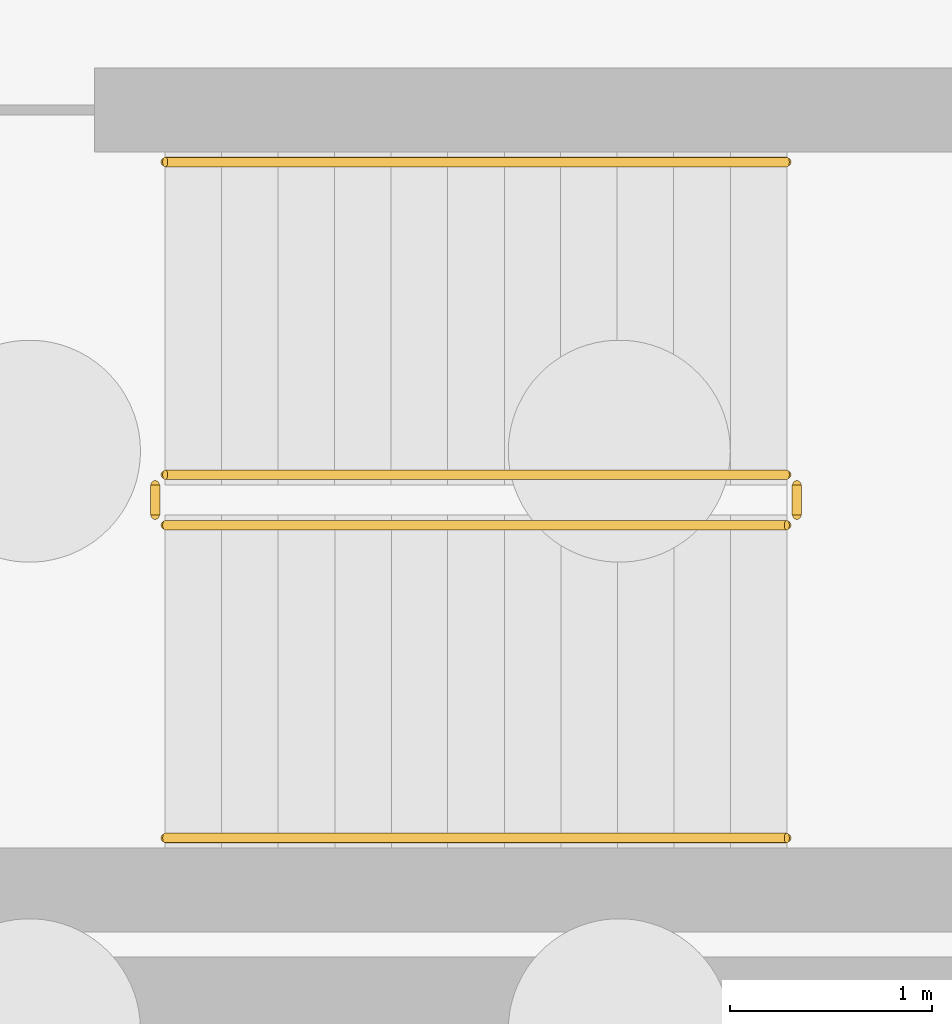
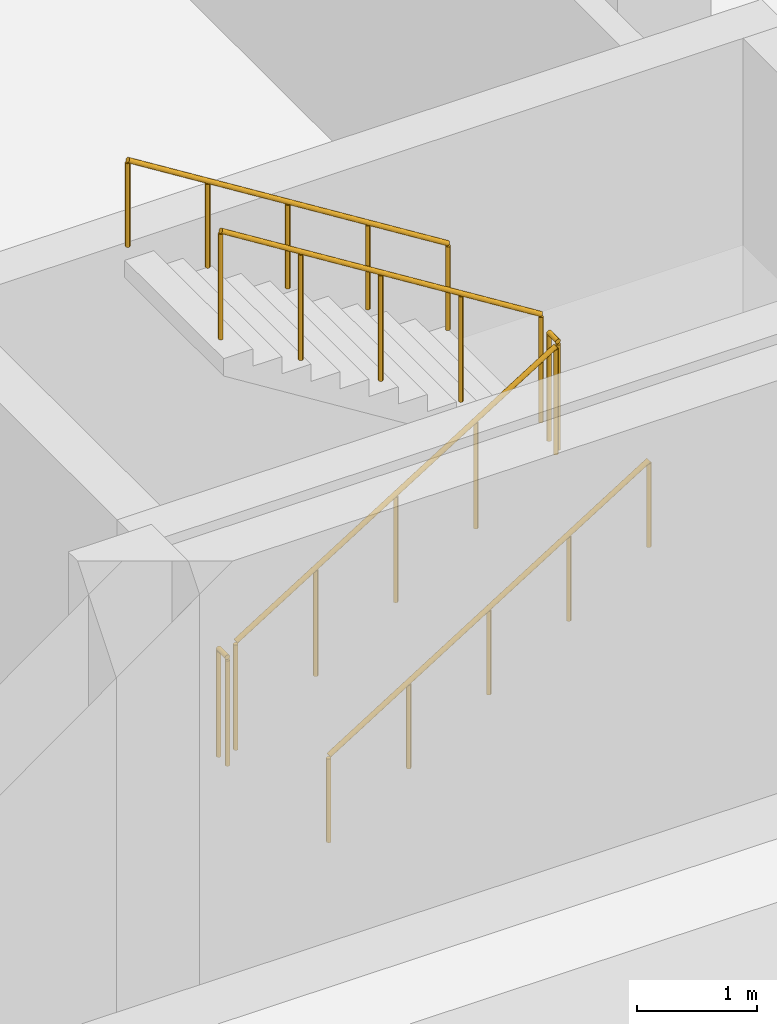
# One storey, part 27 of 31: 6 railings.
"""IFC4 building model written with IfcOpenShell, lengths in metres."""

import ifcopenshell
import ifcopenshell.guid

model = None  # the IFC model being written
_history = None  # IfcOwnerHistory: only IFC2X3 demands one
_inside = {}  # id of a spatial element -> (the spatial element, [elements in it])
_under = {}  # id of a project, library or spatial element -> (it, [spatial elements below it])
_declared = {}  # id of a project -> (the project, [libraries it declares])
_typed = {}  # id of a type object -> (the type object, [elements of that type])
_made_of = {}  # id of a material, layer set ... -> (it, [elements and type objects made of it])


def new_model(schema):
    """Start an empty IFC model of exactly this schema.

    Asked for "IFC4X3", IfcOpenShell would pick the latest addendum, in which some entities
    have other attributes; the version numbers below select the first issue.
    IFC2X3 requires an IfcOwnerHistory on every rooted entity: one is made here for all.
    """
    global model, _history
    if schema == "IFC4X3":
        model = ifcopenshell.file(schema_version=(4, 3, 0, 0))
    else:
        model = ifcopenshell.file(schema=schema)
    _inside.clear()
    _under.clear()
    _declared.clear()
    _typed.clear()
    _made_of.clear()
    _history = None
    if model.schema == "IFC2X3":
        org = make("IfcOrganization", Name="unknown")
        user = make(
            "IfcPersonAndOrganization",
            ThePerson=make("IfcPerson", FamilyName="unknown"),
            TheOrganization=org,
        )
        app = make(
            "IfcApplication",
            ApplicationDeveloper=org,
            Version="unknown",
            ApplicationFullName="unknown",
            ApplicationIdentifier="unknown",
        )
        _history = make(
            "IfcOwnerHistory",
            OwningUser=user,
            OwningApplication=app,
            ChangeAction="ADDED",
            CreationDate=0,
        )
    return model


def make(cls, **values):
    """One entity of the class cls with the attributes given. An attribute that is None is left unset."""
    return model.create_entity(
        cls, **{name: value for name, value in values.items() if value is not None}
    )


def rooted(cls, **values):
    """An entity with a GlobalId (a new one), such as an element, a storey or a relation."""
    return make(cls, GlobalId=ifcopenshell.guid.new(), OwnerHistory=_history, **values)


def si_unit(unit_type, name, prefix=None):
    """IfcSIUnit, for example si_unit("LENGTHUNIT", "METRE", prefix="MILLI")."""
    return make("IfcSIUnit", UnitType=unit_type, Prefix=prefix, Name=name)


def assignment(units):
    """IfcUnitAssignment: the units of a project."""
    return None if units is None else make("IfcUnitAssignment", Units=units)


def point(xyz):
    """IfcCartesianPoint."""
    return None if xyz is None else make("IfcCartesianPoint", Coordinates=xyz)


def direction(xyz):
    """IfcDirection."""
    return None if xyz is None else make("IfcDirection", DirectionRatios=xyz)


def frame(location, z_axis=None, x_axis=None):
    """IfcAxis2Placement3D, a coordinate frame: its origin and axes. An axis left out is left unset."""
    return make(
        "IfcAxis2Placement3D",
        Location=point(location),
        Axis=direction(z_axis),
        RefDirection=direction(x_axis),
    )


def frame_2d(location, x_axis=None):
    """IfcAxis2Placement2D, a coordinate frame in the plane: its origin and x axis."""
    return make(
        "IfcAxis2Placement2D", Location=point(location), RefDirection=direction(x_axis)
    )


def origin():
    """The frame at (0, 0, 0) with its axes left unset."""
    return frame((0.0, 0.0, 0.0))


def origin_2d():
    """The frame at (0, 0) in the plane with its x axis left unset."""
    return frame_2d((0.0, 0.0))


def place(relative_to, where):
    """IfcLocalPlacement: puts the frame where relative to a parent placement (None: the world)."""
    return make(
        "IfcLocalPlacement", PlacementRelTo=relative_to, RelativePlacement=where
    )


def context(
    kind, dimensions, precision=None, world=None, true_north=None, identifier=None
):
    """IfcGeometricRepresentationContext, for example the 3D "Model" context."""
    return make(
        "IfcGeometricRepresentationContext",
        ContextIdentifier=identifier,
        ContextType=kind,
        CoordinateSpaceDimension=dimensions,
        Precision=precision,
        WorldCoordinateSystem=world,
        TrueNorth=true_north,
    )


def subcontext(parent, identifier, kind, view, scale=None):
    """IfcGeometricRepresentationSubContext, for example "Body" below "Model"."""
    return make(
        "IfcGeometricRepresentationSubContext",
        ContextIdentifier=identifier,
        ContextType=kind,
        ParentContext=parent,
        TargetScale=scale,
        TargetView=view,
    )


def project(units=None, contexts=None):
    """IfcProject with its units and contexts."""
    return rooted(
        "IfcProject",
        Name="project",
        RepresentationContexts=contexts,
        UnitsInContext=assignment(units),
    )


def spatial(cls, under=None, at=None, **own):
    """A site, building, storey or space (cls), placed at a placement, below another one or the project."""
    s = rooted(cls, ObjectPlacement=at, **own)
    if under is not None:
        _under.setdefault(under.id(), (under, []))[1].append(s)
    return s


def profile(cls, at=None, kind="AREA", **sizes):
    """A parametric profile (cls). Its sizes go by their IFC names, for example OverallWidth=200.0."""
    return make(cls, ProfileType=kind, Position=at, **sizes)


def circle(**sizes):
    """IfcCircleProfileDef."""
    return profile("IfcCircleProfileDef", **sizes)


def extrude(swept, where, along, depth):
    """IfcExtrudedAreaSolid: the profile swept, set in the frame where, extruded along a direction by depth."""
    return make(
        "IfcExtrudedAreaSolid",
        SweptArea=swept,
        Position=where,
        ExtrudedDirection=direction(along),
        Depth=depth,
    )


def shape(context_of_items, identifier, shape_type, items):
    """IfcShapeRepresentation: the items that make up one representation, for example the "Body"."""
    return make(
        "IfcShapeRepresentation",
        ContextOfItems=context_of_items,
        RepresentationIdentifier=identifier,
        RepresentationType=shape_type,
        Items=items,
    )


def material(Name=None, Category=None):
    """IfcMaterial."""
    return make("IfcMaterial", Name=Name, Category=Category)


def made_of(thing, what):
    """Note that an element or type object is made of a material, layer set ...; save() writes the relation."""
    if what is not None:
        _made_of.setdefault(what.id(), (what, []))[1].append(thing)
    return thing


def type_object(cls, material=None, **own):
    """A type object (cls), such as IfcWallType, which elements share."""
    return made_of(rooted(cls, **own), material)


def element(
    cls,
    number,
    at=None,
    inside=None,
    cuts=None,
    type_object=None,
    material=None,
    context=None,
    identifier="Body",
    shape_type=None,
    held_by="IfcProductDefinitionShape",
    body=None,
    shapes=None,
    **own,
):
    """One element of the class cls, such as IfcWall. Its Tag is "e" and its number.

    at: its placement. inside: the storey or other place that contains it. cuts: it is an
    opening in that element (IfcRelVoidsElement). A single representation is given by context,
    identifier, shape_type and body (its items); several are given by shapes. held_by: the class
    of the entity that holds the representations. save() writes the other relations.
    """
    e = rooted(cls, Tag="e%d" % number, ObjectPlacement=at, **own)
    if body is not None:
        shapes = [shape(context, identifier, shape_type, body)]
    if shapes is not None:
        e.Representation = make(held_by, Representations=shapes)
    if inside is not None:
        _inside.setdefault(inside.id(), (inside, []))[1].append(e)
    if cuts is not None:
        rooted(
            "IfcRelVoidsElement", RelatingBuildingElement=cuts, RelatedOpeningElement=e
        )
    if type_object is not None:
        _typed.setdefault(type_object.id(), (type_object, []))[1].append(e)
    return made_of(e, material)


def aggregate(whole, parts):
    """IfcRelAggregates: a whole, such as a stair, and the parts it consists of."""
    return rooted("IfcRelAggregates", RelatingObject=whole, RelatedObjects=parts)


def save(model, path):
    """Write the relations noted so far, then the file.

    IfcRelAggregates (storeys below a building ...), IfcRelContainedInSpatialStructure (elements
    in a storey), IfcRelDefinesByType, IfcRelAssociatesMaterial and IfcRelDeclares: one each for
    every whole, place, type object, material and project.
    """
    for whole, parts in _under.values():
        aggregate(whole, parts)
    for where, things in _inside.values():
        rooted(
            "IfcRelContainedInSpatialStructure",
            RelatedElements=things,
            RelatingStructure=where,
        )
    for kind, things in _typed.values():
        rooted("IfcRelDefinesByType", RelatedObjects=things, RelatingType=kind)
    for what, things in _made_of.values():
        rooted("IfcRelAssociatesMaterial", RelatedObjects=things, RelatingMaterial=what)
    for by, libraries in _declared.values():
        rooted("IfcRelDeclares", RelatingContext=by, RelatedDefinitions=libraries)
    model.write(path)


model = new_model("IFC4")

# Units and contexts
model_context = context("Model", 3, precision=1e-05, world=origin(), true_north=direction((0.0, 1.0)))
body_context = subcontext(model_context, "Body", "Model", "MODEL_VIEW")
ifc_project = project(units=[si_unit("LENGTHUNIT", "METRE"), si_unit("AREAUNIT", "SQUARE_METRE"), si_unit("VOLUMEUNIT", "CUBIC_METRE"), si_unit("PLANEANGLEUNIT", "RADIAN"), si_unit("MASSUNIT", "GRAM", prefix="KILO")], contexts=[model_context])

# Site, building, storey
site_placement = place(None, origin())
site = spatial("IfcSite", under=ifc_project, at=site_placement, CompositionType="ELEMENT")
building_placement = place(site_placement, origin())
building = spatial("IfcBuilding", under=site, at=building_placement, Name="Qalavern Law Courts", CompositionType="ELEMENT")
storey_placement = place(building_placement, frame((0.0, 0.0, -8.39990234375)))
storey = spatial("IfcBuildingStorey", under=building, at=storey_placement, Name="B2", CompositionType="ELEMENT", Elevation=-8.39990234375)

# Railings
ifc_material = material(Name="Steel S355", Category="steel")
railing_type_1 = type_object("IfcRailingType", Name="INT-GUARD-1120", PredefinedType="BALUSTRADE", material=ifc_material)
railing_1_placement = place(storey_placement, frame((120.050048828125, 3.60009765625, 0.1748046875)))
element("IfcRailing", 1, at=railing_1_placement, inside=storey, type_object=railing_type_1, Name="B2 ST-K5 stair guard 1", PredefinedType="BALUSTRADE", context=body_context, shape_type="SweptSolid", body=[
    extrude(circle(Radius=0.02392578125, at=origin_2d()), frame((0.0, 0.0, 1.09619140625), z_axis=(0.847979421464, 0.0, 0.530029150871), x_axis=(0.0, 1.0, 0.0)), (0.0, 0.0, 1.0), 3.632080078125),
    extrude(circle(Radius=0.02099609375, at=origin_2d()), origin(), (0.0, 0.0, 1.0), 1.072021484375),
    extrude(circle(Radius=0.02099609375, at=origin_2d()), frame((0.77001953125, 0.0, 0.481201171875)), (0.0, 0.0, 1.0), 1.072021484375),
    extrude(circle(Radius=0.02099609375, at=origin_2d()), frame((1.5400390625, 0.0, 0.96240234375)), (0.0, 0.0, 1.0), 1.072021484375),
    extrude(circle(Radius=0.02099609375, at=origin_2d()), frame((2.309814453125, 0.0, 1.44384765625)), (0.0, 0.0, 1.0), 1.072021484375),
    extrude(circle(Radius=0.02099609375, at=origin_2d()), frame((3.079833984375, 0.0, 1.925048828125)), (0.0, 0.0, 1.0), 1.072021484375),
])
railing_2_placement = place(storey_placement, frame((123.179931640625, 3.64990234375, 2.099853515625)))
element("IfcRailing", 2, at=railing_2_placement, inside=storey, type_object=railing_type_1, Name="B2 ST-K5 stair guard 2", PredefinedType="BALUSTRADE", context=body_context, shape_type="SweptSolid", body=[
    extrude(circle(Radius=0.02392578125, at=origin_2d()), frame((0.0, 0.0, 1.09619140625), z_axis=(0.0, 1.0, 0.0), x_axis=(-1.0, 0.0, 0.0)), (0.0, 0.0, 1.0), 0.150146484375),
    extrude(circle(Radius=0.02099609375, at=origin_2d()), origin(), (0.0, 0.0, 1.0), 1.072021484375),
    extrude(circle(Radius=0.02099609375, at=origin_2d()), frame((0.0, 0.150146484375, 0.0)), (0.0, 0.0, 1.0), 1.072021484375),
])
railing_3_placement = place(storey_placement, frame((123.1298828125, 3.85009765625, 2.27490234375)))
element("IfcRailing", 3, at=railing_3_placement, inside=storey, type_object=railing_type_1, Name="B2 ST-K5 stair guard 3", PredefinedType="BALUSTRADE", context=body_context, shape_type="SweptSolid", body=[
    extrude(circle(Radius=0.02392578125, at=origin_2d()), frame((0.0, 0.0, 1.09619140625), z_axis=(-0.847979421464, 0.0, 0.530029150871), x_axis=(0.0, -1.0, 0.0)), (0.0, 0.0, 1.0), 3.632080078125),
    extrude(circle(Radius=0.02099609375, at=origin_2d()), origin(), (0.0, 0.0, 1.0), 1.072021484375),
    extrude(circle(Radius=0.02099609375, at=origin_2d()), frame((-0.77001953125, 0.0, 0.481201171875)), (0.0, 0.0, 1.0), 1.072021484375),
    extrude(circle(Radius=0.02099609375, at=origin_2d()), frame((-1.5400390625, 0.0, 0.96240234375)), (0.0, 0.0, 1.0), 1.072021484375),
    extrude(circle(Radius=0.02099609375, at=origin_2d()), frame((-2.309814453125, 0.0, 1.44384765625)), (0.0, 0.0, 1.0), 1.072021484375),
    extrude(circle(Radius=0.02099609375, at=origin_2d()), frame((-3.079833984375, 0.0, 1.925048828125)), (0.0, 0.0, 1.0), 1.072021484375),
])
railing_4_placement = place(storey_placement, frame((120.0, 3.64990234375, 0.0)))
element("IfcRailing", 4, at=railing_4_placement, inside=storey, type_object=railing_type_1, Name="B2 ST-K5 stair guard 4", PredefinedType="BALUSTRADE", context=body_context, shape_type="SweptSolid", body=[
    extrude(circle(Radius=0.02392578125, at=origin_2d()), frame((0.0, 0.0, 1.09619140625), z_axis=(0.0, 1.0, 0.0), x_axis=(-1.0, 0.0, 0.0)), (0.0, 0.0, 1.0), 0.150146484375),
    extrude(circle(Radius=0.02099609375, at=origin_2d()), origin(), (0.0, 0.0, 1.0), 1.072021484375),
    extrude(circle(Radius=0.02099609375, at=origin_2d()), frame((0.0, 0.150146484375, 0.0)), (0.0, 0.0, 1.0), 1.072021484375),
])
railing_type_2 = type_object("IfcRailingType", Name="INT-HRAIL-920", PredefinedType="HANDRAIL", material=ifc_material)
railing_5_placement = place(storey_placement, frame((120.050048828125, 2.050048828125, 0.1748046875)))
element("IfcRailing", 5, at=railing_5_placement, inside=storey, type_object=railing_type_2, Name="B2 ST-K5 stair handrail 1", PredefinedType="HANDRAIL", context=body_context, shape_type="SweptSolid", body=[
    extrude(circle(Radius=0.02392578125, at=origin_2d()), frame((0.0, 0.0, 0.8759765625), z_axis=(0.847979421464, 0.0, 0.530029150871), x_axis=(0.0, 1.0, 0.0)), (0.0, 0.0, 1.0), 3.632080078125),
    extrude(circle(Radius=0.02099609375, at=origin_2d()), origin(), (0.0, 0.0, 1.0), 0.851806640625),
    extrude(circle(Radius=0.02099609375, at=origin_2d()), frame((0.77001953125, 0.0, 0.481201171875)), (0.0, 0.0, 1.0), 0.851806640625),
    extrude(circle(Radius=0.02099609375, at=origin_2d()), frame((1.5400390625, 0.0, 0.96240234375)), (0.0, 0.0, 1.0), 0.851806640625),
    extrude(circle(Radius=0.02099609375, at=origin_2d()), frame((2.309814453125, 0.0, 1.44384765625)), (0.0, 0.0, 1.0), 0.851806640625),
    extrude(circle(Radius=0.02099609375, at=origin_2d()), frame((3.079833984375, 0.0, 1.925048828125)), (0.0, 0.0, 1.0), 0.851806640625),
])
railing_6_placement = place(storey_placement, frame((123.1298828125, 5.39990234375, 2.27490234375)))
element("IfcRailing", 6, at=railing_6_placement, inside=storey, type_object=railing_type_2, Name="B2 ST-K5 stair handrail 2", PredefinedType="HANDRAIL", context=body_context, shape_type="SweptSolid", body=[
    extrude(circle(Radius=0.02392578125, at=origin_2d()), frame((0.0, 0.0, 0.8759765625), z_axis=(-0.847979421464, 0.0, 0.530029150871), x_axis=(0.0, -1.0, 0.0)), (0.0, 0.0, 1.0), 3.632080078125),
    extrude(circle(Radius=0.02099609375, at=origin_2d()), origin(), (0.0, 0.0, 1.0), 0.851806640625),
    extrude(circle(Radius=0.02099609375, at=origin_2d()), frame((-0.77001953125, 0.0, 0.481201171875)), (0.0, 0.0, 1.0), 0.851806640625),
    extrude(circle(Radius=0.02099609375, at=origin_2d()), frame((-1.5400390625, 0.0, 0.96240234375)), (0.0, 0.0, 1.0), 0.851806640625),
    extrude(circle(Radius=0.02099609375, at=origin_2d()), frame((-2.309814453125, 0.0, 1.44384765625)), (0.0, 0.0, 1.0), 0.851806640625),
    extrude(circle(Radius=0.02099609375, at=origin_2d()), frame((-3.079833984375, 0.0, 1.925048828125)), (0.0, 0.0, 1.0), 0.851806640625),
])

save(model, "model.ifc")
